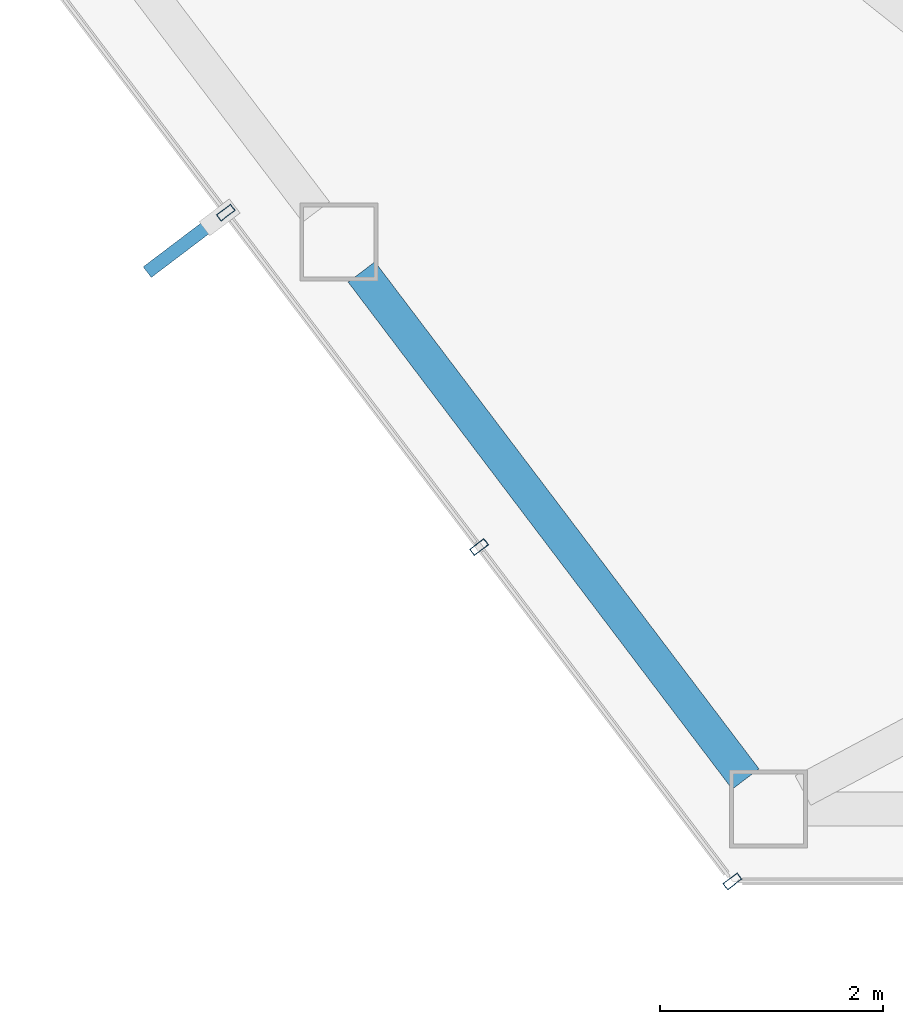
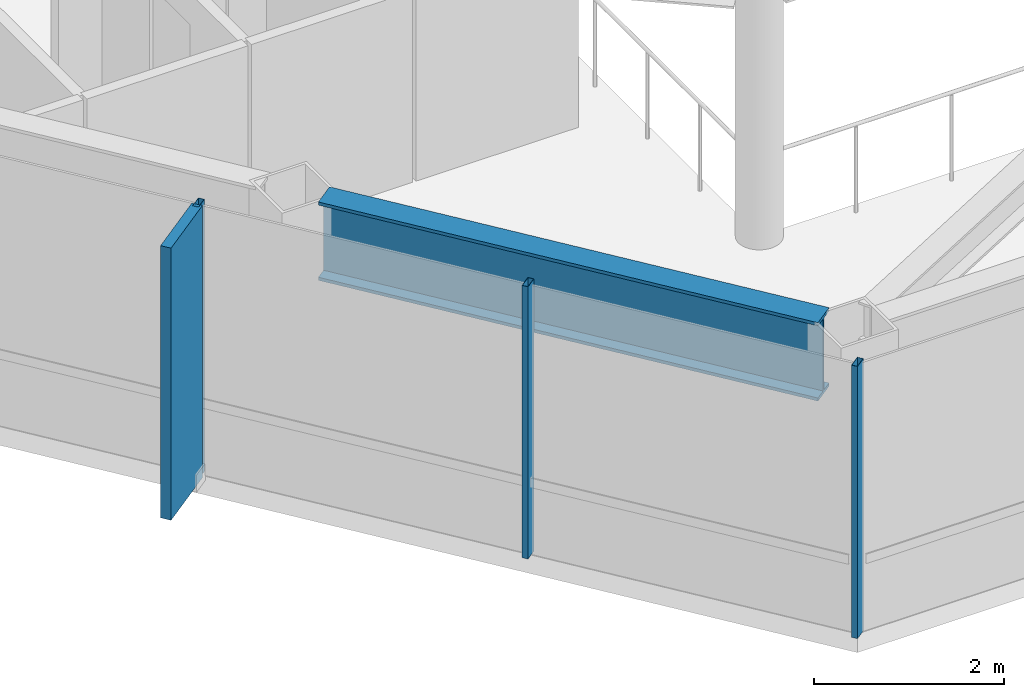
# One storey, part 2 of 27: 4 members, 1 beam, 1 element without a shape of its own.
"""IFC4 building model written with IfcOpenShell, lengths in metres."""

from ifc_helpers import new_model, si_unit, direction, frame, origin, origin_2d, place, context, subcontext, project, spatial, rectangle, hollow_rectangle, i_section, extrude, material, layer, layer_set, material_profile, profile_set, type_object, element, aggregate, save


model = new_model("IFC4")

# Units and contexts
model_context = context("Model", 3, precision=1e-05, world=origin(), true_north=direction((0.0, 1.0)))
body_context = subcontext(model_context, "Body", "Model", "MODEL_VIEW")
ifc_project = project(units=[si_unit("LENGTHUNIT", "METRE"), si_unit("AREAUNIT", "SQUARE_METRE"), si_unit("VOLUMEUNIT", "CUBIC_METRE"), si_unit("PLANEANGLEUNIT", "RADIAN"), si_unit("MASSUNIT", "GRAM", prefix="KILO")], contexts=[model_context])

# Site, building, storey
site_placement = place(None, origin())
site = spatial("IfcSite", under=ifc_project, at=site_placement, CompositionType="ELEMENT")
building_placement = place(site_placement, origin())
building = spatial("IfcBuilding", under=site, at=building_placement, Name="Zarrinselat Tower", CompositionType="ELEMENT")
storey_placement = place(building_placement, frame((0.0, 0.0, 179.52001953125)))
storey = spatial("IfcBuildingStorey", under=building, at=storey_placement, Name="L44", CompositionType="ELEMENT", Elevation=179.52001953125)

# Beam
ifc_material_1 = material(Name="Steel S460M", Category="steel")
ifc_material_profile_1 = material_profile(ifc_material_1, i_section(OverallWidth=0.302001953125, OverallDepth=1.008056640625, WebThickness=0.02099609375, FlangeThickness=0.0400390625, at=origin_2d()), Name="HEM 1000")
ifc_profile_set_1 = profile_set([ifc_material_profile_1], Name="Steel S460M")
beam_type = type_object("IfcBeamType", Name="BM-HEM1000", PredefinedType="BEAM", material=ifc_profile_set_1)
beam_placement = place(storey_placement, frame((27.71142578125, 23.027587890625, 2.99609375), z_axis=(0.603829707697, -0.797113344577, 0.0), x_axis=(0.797113344577, 0.603829707697, 0.0)))
element("IfcBeam", 1, at=beam_placement, inside=storey, type_object=beam_type, Name="L44 Perimeter Spandrel Girder SP09", PredefinedType="BEAM", context=body_context, shape_type="SweptSolid", body=[
    extrude(i_section(OverallWidth=0.302001953125, OverallDepth=1.008056640625, WebThickness=0.02099609375, FlangeThickness=0.0400390625, at=origin_2d()), origin(), (0.0, 0.0, 1.0), 5.7119140625),
])

# Curtain wall, members
ifc_material_2 = material(Name="Extruded Aluminium Alloy EN AW-6063 T6", Category="aluminium")
ifc_layer = layer(ifc_material_2, 0.175048828125)
ifc_layer_set = layer_set([ifc_layer], Name="Extruded Aluminium Alloy EN AW-6063 T6")
curtain_wall_type = type_object("IfcCurtainWallType", Name="CWS-HTL", PredefinedType="NOTDEFINED", material=ifc_layer_set)
curtain_wall_placement = place(storey_placement, origin())
curtain_wall = element("IfcCurtainWall", 2, at=curtain_wall_placement, inside=storey, type_object=curtain_wall_type, Name="L44 Unitised Curtain Wall CW-L44-E03", PredefinedType="NOTDEFINED")
ifc_material_3 = material(Name="Extruded Aluminium Alloy EN AW-6063 T6", Category="aluminium")
ifc_material_profile_2 = material_profile(ifc_material_3, hollow_rectangle(XDim=0.070068359375, YDim=0.159912109375, WallThickness=0.00390625, at=origin_2d()), Name="RHS 160x70x4")
ifc_profile_set_2 = profile_set([ifc_material_profile_2], Name="Extruded Aluminium Alloy EN AW-6063 T6")
member_type_1 = type_object("IfcMemberType", Name="MEM-CW-MUL2", PredefinedType="MULLION", material=ifc_profile_set_2)
member_1_placement = place(storey_placement, frame((26.49267578125, 23.56005859375, 0.0), z_axis=(0.0, 0.0, 1.0), x_axis=(0.603857322892, -0.797092424748, 0.0)))
member_1 = element("IfcMember", 3, at=member_1_placement, type_object=member_type_1, Name="CW-L44-E03 Mullion 5", PredefinedType="MULLION", context=body_context, shape_type="SweptSolid", body=[
    extrude(hollow_rectangle(XDim=0.070068359375, YDim=0.159912109375, WallThickness=0.00390625, at=origin_2d()), origin(), (0.0, 0.0, 1.0), 3.5),
])
member_2_placement = place(storey_placement, frame((28.76708984375, 20.5576171875, 0.0), z_axis=(0.0, 0.0, 1.0), x_axis=(0.603857322892, -0.797092424748, 0.0)))
member_2 = element("IfcMember", 4, at=member_2_placement, type_object=member_type_1, Name="CW-L44-E03 Mullion 6", PredefinedType="MULLION", context=body_context, shape_type="SweptSolid", body=[
    extrude(hollow_rectangle(XDim=0.070068359375, YDim=0.159912109375, WallThickness=0.00390625, at=origin_2d()), origin(), (0.0, 0.0, 1.0), 3.5),
])
member_3_placement = place(storey_placement, frame((31.04150390625, 17.555419921875, 0.0), z_axis=(0.0, 0.0, 1.0), x_axis=(0.603857322892, -0.797092424748, 0.0)))
member_3 = element("IfcMember", 5, at=member_3_placement, type_object=member_type_1, Name="CW-L44-E03 Mullion 7", PredefinedType="MULLION", context=body_context, shape_type="SweptSolid", body=[
    extrude(hollow_rectangle(XDim=0.070068359375, YDim=0.159912109375, WallThickness=0.00390625, at=origin_2d()), origin(), (0.0, 0.0, 1.0), 3.5),
])
ifc_material_4 = material(Name="Honed Cream Travertine Stone", Category="masonry")
ifc_material_profile_3 = material_profile(ifc_material_4, rectangle(XDim=0.1201171875, YDim=0.85009765625, at=origin_2d()), Name="FIN 850x120")
ifc_profile_set_3 = profile_set([ifc_material_profile_3], Name="Honed Cream Travertine Stone")
member_type_2 = type_object("IfcMemberType", Name="MEM-STONE-FIN", PredefinedType="USERDEFINED", material=ifc_profile_set_3)
member_4_placement = place(storey_placement, frame((26.1259765625, 23.2822265625, 0.0), z_axis=(0.0, 0.0, 1.0), x_axis=(-0.603857322892, 0.797092424748, 0.0)))
member_4 = element("IfcMember", 6, at=member_4_placement, type_object=member_type_2, Name="L44 Stone Shading Fin CW-L44-E03-05", ObjectType="FIN", PredefinedType="USERDEFINED", context=body_context, shape_type="SweptSolid", body=[
    extrude(rectangle(XDim=0.1201171875, YDim=0.85009765625, at=origin_2d()), origin(), (0.0, 0.0, 1.0), 3.5),
])
aggregate(curtain_wall, [member_1, member_4, member_2, member_3])

save(model, "model.ifc")
